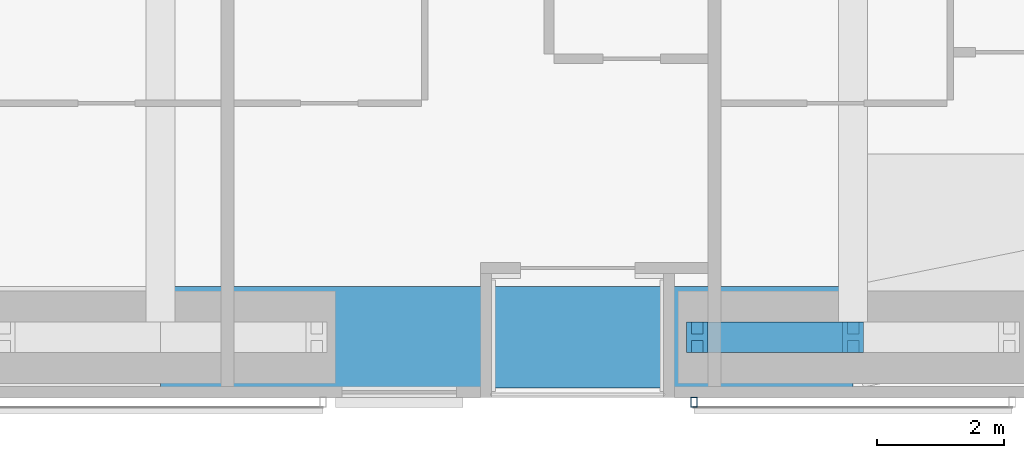
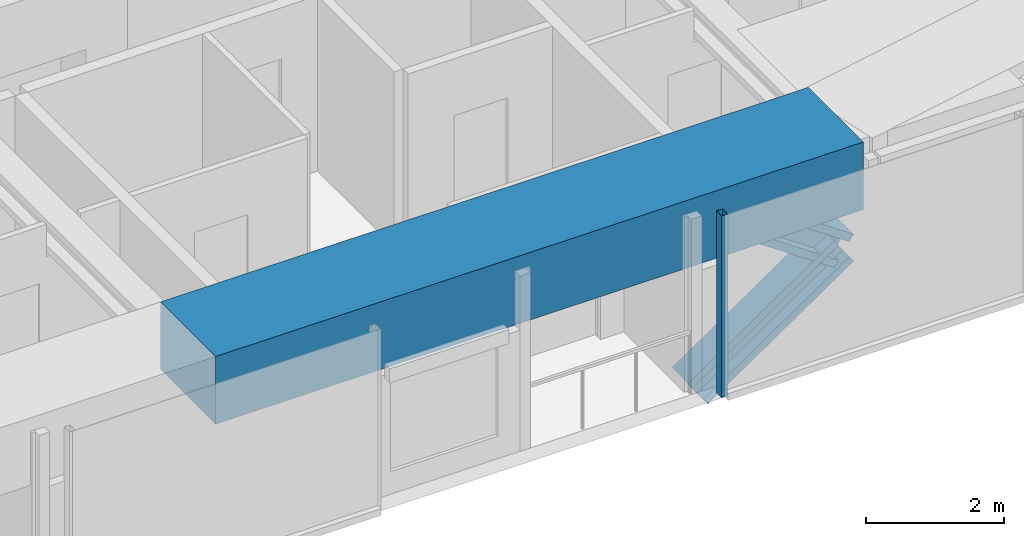
# One storey, part 6 of 25: 3 members, 1 beam, 1 element without a shape of its own.
"""IFC4 building model written with IfcOpenShell, lengths in metres."""

import ifcopenshell
import ifcopenshell.guid

model = None  # the IFC model being written
_history = None  # IfcOwnerHistory: only IFC2X3 demands one
_inside = {}  # id of a spatial element -> (the spatial element, [elements in it])
_under = {}  # id of a project, library or spatial element -> (it, [spatial elements below it])
_declared = {}  # id of a project -> (the project, [libraries it declares])
_typed = {}  # id of a type object -> (the type object, [elements of that type])
_made_of = {}  # id of a material, layer set ... -> (it, [elements and type objects made of it])


def new_model(schema):
    """Start an empty IFC model of exactly this schema.

    Asked for "IFC4X3", IfcOpenShell would pick the latest addendum, in which some entities
    have other attributes; the version numbers below select the first issue.
    IFC2X3 requires an IfcOwnerHistory on every rooted entity: one is made here for all.
    """
    global model, _history
    if schema == "IFC4X3":
        model = ifcopenshell.file(schema_version=(4, 3, 0, 0))
    else:
        model = ifcopenshell.file(schema=schema)
    _inside.clear()
    _under.clear()
    _declared.clear()
    _typed.clear()
    _made_of.clear()
    _history = None
    if model.schema == "IFC2X3":
        org = make("IfcOrganization", Name="unknown")
        user = make(
            "IfcPersonAndOrganization",
            ThePerson=make("IfcPerson", FamilyName="unknown"),
            TheOrganization=org,
        )
        app = make(
            "IfcApplication",
            ApplicationDeveloper=org,
            Version="unknown",
            ApplicationFullName="unknown",
            ApplicationIdentifier="unknown",
        )
        _history = make(
            "IfcOwnerHistory",
            OwningUser=user,
            OwningApplication=app,
            ChangeAction="ADDED",
            CreationDate=0,
        )
    return model


def make(cls, **values):
    """One entity of the class cls with the attributes given. An attribute that is None is left unset."""
    return model.create_entity(
        cls, **{name: value for name, value in values.items() if value is not None}
    )


def rooted(cls, **values):
    """An entity with a GlobalId (a new one), such as an element, a storey or a relation."""
    return make(cls, GlobalId=ifcopenshell.guid.new(), OwnerHistory=_history, **values)


def si_unit(unit_type, name, prefix=None):
    """IfcSIUnit, for example si_unit("LENGTHUNIT", "METRE", prefix="MILLI")."""
    return make("IfcSIUnit", UnitType=unit_type, Prefix=prefix, Name=name)


def assignment(units):
    """IfcUnitAssignment: the units of a project."""
    return None if units is None else make("IfcUnitAssignment", Units=units)


def point(xyz):
    """IfcCartesianPoint."""
    return None if xyz is None else make("IfcCartesianPoint", Coordinates=xyz)


def direction(xyz):
    """IfcDirection."""
    return None if xyz is None else make("IfcDirection", DirectionRatios=xyz)


def frame(location, z_axis=None, x_axis=None):
    """IfcAxis2Placement3D, a coordinate frame: its origin and axes. An axis left out is left unset."""
    return make(
        "IfcAxis2Placement3D",
        Location=point(location),
        Axis=direction(z_axis),
        RefDirection=direction(x_axis),
    )


def frame_2d(location, x_axis=None):
    """IfcAxis2Placement2D, a coordinate frame in the plane: its origin and x axis."""
    return make(
        "IfcAxis2Placement2D", Location=point(location), RefDirection=direction(x_axis)
    )


def origin():
    """The frame at (0, 0, 0) with its axes left unset."""
    return frame((0.0, 0.0, 0.0))


def origin_2d():
    """The frame at (0, 0) in the plane with its x axis left unset."""
    return frame_2d((0.0, 0.0))


def place(relative_to, where):
    """IfcLocalPlacement: puts the frame where relative to a parent placement (None: the world)."""
    return make(
        "IfcLocalPlacement", PlacementRelTo=relative_to, RelativePlacement=where
    )


def context(
    kind, dimensions, precision=None, world=None, true_north=None, identifier=None
):
    """IfcGeometricRepresentationContext, for example the 3D "Model" context."""
    return make(
        "IfcGeometricRepresentationContext",
        ContextIdentifier=identifier,
        ContextType=kind,
        CoordinateSpaceDimension=dimensions,
        Precision=precision,
        WorldCoordinateSystem=world,
        TrueNorth=true_north,
    )


def subcontext(parent, identifier, kind, view, scale=None):
    """IfcGeometricRepresentationSubContext, for example "Body" below "Model"."""
    return make(
        "IfcGeometricRepresentationSubContext",
        ContextIdentifier=identifier,
        ContextType=kind,
        ParentContext=parent,
        TargetScale=scale,
        TargetView=view,
    )


def project(units=None, contexts=None):
    """IfcProject with its units and contexts."""
    return rooted(
        "IfcProject",
        Name="project",
        RepresentationContexts=contexts,
        UnitsInContext=assignment(units),
    )


def spatial(cls, under=None, at=None, **own):
    """A site, building, storey or space (cls), placed at a placement, below another one or the project."""
    s = rooted(cls, ObjectPlacement=at, **own)
    if under is not None:
        _under.setdefault(under.id(), (under, []))[1].append(s)
    return s


def profile(cls, at=None, kind="AREA", **sizes):
    """A parametric profile (cls). Its sizes go by their IFC names, for example OverallWidth=200.0."""
    return make(cls, ProfileType=kind, Position=at, **sizes)


def rectangle(**sizes):
    """IfcRectangleProfileDef."""
    return profile("IfcRectangleProfileDef", **sizes)


def hollow_rectangle(**sizes):
    """IfcRectangleHollowProfileDef."""
    return profile("IfcRectangleHollowProfileDef", **sizes)


def i_section(**sizes):
    """IfcIShapeProfileDef."""
    return profile("IfcIShapeProfileDef", **sizes)


def extrude(swept, where, along, depth):
    """IfcExtrudedAreaSolid: the profile swept, set in the frame where, extruded along a direction by depth."""
    return make(
        "IfcExtrudedAreaSolid",
        SweptArea=swept,
        Position=where,
        ExtrudedDirection=direction(along),
        Depth=depth,
    )


def shape(context_of_items, identifier, shape_type, items):
    """IfcShapeRepresentation: the items that make up one representation, for example the "Body"."""
    return make(
        "IfcShapeRepresentation",
        ContextOfItems=context_of_items,
        RepresentationIdentifier=identifier,
        RepresentationType=shape_type,
        Items=items,
    )


def material(Name=None, Category=None):
    """IfcMaterial."""
    return make("IfcMaterial", Name=Name, Category=Category)


def material_profile(
    of_material, cross_section, Name=None, Category=None, Priority=None
):
    """IfcMaterialProfile: a cross section and its material."""
    return make(
        "IfcMaterialProfile",
        Name=Name,
        Material=of_material,
        Profile=cross_section,
        Priority=Priority,
        Category=Category,
    )


def profile_set(profiles, Name=None, composite=None):
    """IfcMaterialProfileSet."""
    return make(
        "IfcMaterialProfileSet",
        Name=Name,
        MaterialProfiles=profiles,
        CompositeProfile=composite,
    )


def made_of(thing, what):
    """Note that an element or type object is made of a material, layer set ...; save() writes the relation."""
    if what is not None:
        _made_of.setdefault(what.id(), (what, []))[1].append(thing)
    return thing


def type_object(cls, material=None, **own):
    """A type object (cls), such as IfcWallType, which elements share."""
    return made_of(rooted(cls, **own), material)


def element(
    cls,
    number,
    at=None,
    inside=None,
    cuts=None,
    type_object=None,
    material=None,
    context=None,
    identifier="Body",
    shape_type=None,
    held_by="IfcProductDefinitionShape",
    body=None,
    shapes=None,
    **own,
):
    """One element of the class cls, such as IfcWall. Its Tag is "e" and its number.

    at: its placement. inside: the storey or other place that contains it. cuts: it is an
    opening in that element (IfcRelVoidsElement). A single representation is given by context,
    identifier, shape_type and body (its items); several are given by shapes. held_by: the class
    of the entity that holds the representations. save() writes the other relations.
    """
    e = rooted(cls, Tag="e%d" % number, ObjectPlacement=at, **own)
    if body is not None:
        shapes = [shape(context, identifier, shape_type, body)]
    if shapes is not None:
        e.Representation = make(held_by, Representations=shapes)
    if inside is not None:
        _inside.setdefault(inside.id(), (inside, []))[1].append(e)
    if cuts is not None:
        rooted(
            "IfcRelVoidsElement", RelatingBuildingElement=cuts, RelatedOpeningElement=e
        )
    if type_object is not None:
        _typed.setdefault(type_object.id(), (type_object, []))[1].append(e)
    return made_of(e, material)


def aggregate(whole, parts):
    """IfcRelAggregates: a whole, such as a stair, and the parts it consists of."""
    return rooted("IfcRelAggregates", RelatingObject=whole, RelatedObjects=parts)


def save(model, path):
    """Write the relations noted so far, then the file.

    IfcRelAggregates (storeys below a building ...), IfcRelContainedInSpatialStructure (elements
    in a storey), IfcRelDefinesByType, IfcRelAssociatesMaterial and IfcRelDeclares: one each for
    every whole, place, type object, material and project.
    """
    for whole, parts in _under.values():
        aggregate(whole, parts)
    for where, things in _inside.values():
        rooted(
            "IfcRelContainedInSpatialStructure",
            RelatedElements=things,
            RelatingStructure=where,
        )
    for kind, things in _typed.values():
        rooted("IfcRelDefinesByType", RelatedObjects=things, RelatingType=kind)
    for what, things in _made_of.values():
        rooted("IfcRelAssociatesMaterial", RelatedObjects=things, RelatingMaterial=what)
    for by, libraries in _declared.values():
        rooted("IfcRelDeclares", RelatingContext=by, RelatedDefinitions=libraries)
    model.write(path)


model = new_model("IFC4")

# Units and contexts
model_context = context("Model", 3, precision=1e-05, world=origin(), true_north=direction((0.0, 1.0)))
body_context = subcontext(model_context, "Body", "Model", "MODEL_VIEW")
ifc_project = project(units=[si_unit("LENGTHUNIT", "METRE"), si_unit("AREAUNIT", "SQUARE_METRE"), si_unit("VOLUMEUNIT", "CUBIC_METRE"), si_unit("PLANEANGLEUNIT", "RADIAN"), si_unit("MASSUNIT", "GRAM", prefix="KILO")], contexts=[model_context])

# Site, building, storey
site_placement = place(None, origin())
site = spatial("IfcSite", under=ifc_project, at=site_placement, CompositionType="ELEMENT")
building_placement = place(site_placement, origin())
building = spatial("IfcBuilding", under=site, at=building_placement, Name="Jalousie Tower", CompositionType="ELEMENT")
storey_placement = place(building_placement, frame((0.0, 0.0, 94.800048828125)))
storey = spatial("IfcBuildingStorey", under=building, at=storey_placement, Name="L25", CompositionType="ELEMENT", Elevation=94.800048828125)

# Members
ifc_material_1 = material(Name="Steel ASTM A992 Grade 50", Category="steel")
ifc_material_profile_1 = material_profile(ifc_material_1, i_section(OverallWidth=0.472412109375, OverallDepth=0.5791015625, WebThickness=0.094970703125, FlangeThickness=0.1298828125, at=origin_2d()), Name="W14X808")
ifc_profile_set_1 = profile_set([ifc_material_profile_1], Name="Steel ASTM A992 Grade 50")
member_type_1 = type_object("IfcMemberType", Name="PERIMETER BRACE W14X808", PredefinedType="BRACE", material=ifc_profile_set_1)
for number, where, z_axis, x_axis, name in (
    (1, (36.175048828125, 0.949951171875, -0.60009765625), (0.825500916831, 0.0, 0.564400776321), (0.0, 1.0, 0.0), "Perimeter brace 04 L25 part 1"),
    (2, (38.625, 0.949951171875, 1.074951171875), (-0.825500916831, 0.0, 0.564400776321), (0.0, -1.0, 0.0), "Perimeter brace 04 L25 part 4"),
):
    element("IfcMember", number, at=place(storey_placement, frame(where, z_axis=z_axis, x_axis=x_axis)), inside=storey, type_object=member_type_1, Name=name, PredefinedType="BRACE", context=body_context, shape_type="SweptSolid", body=[
        extrude(i_section(OverallWidth=0.472412109375, OverallDepth=0.5791015625, WebThickness=0.094970703125, FlangeThickness=0.1298828125, at=origin_2d()), origin(), (0.0, 0.0, 1.0), 2.9677734375),
    ])

# Beam
ifc_material_2 = material(Name="Concrete f'c 40 MPa", Category="concrete")
ifc_material_profile_2 = material_profile(ifc_material_2, rectangle(XDim=1.60009765625, YDim=1.199951171875, at=origin_2d()), Name="RC 1600x1200")
ifc_profile_set_2 = profile_set([ifc_material_profile_2], Name="Concrete f'c 40 MPa")
beam_type = type_object("IfcBeamType", Name="RC BEAM 1600x1200", PredefinedType="BEAM", material=ifc_profile_set_2)
beam_placement = place(storey_placement, frame((27.75, 0.949951171875, 2.75), z_axis=(1.0, 0.0, 0.0), x_axis=(0.0, 1.0, 0.0)))
element("IfcBeam", 3, at=beam_placement, inside=storey, type_object=beam_type, Name="Edge band beam 03-04 under L26", PredefinedType="BEAM", context=body_context, shape_type="SweptSolid", body=[
    extrude(rectangle(XDim=1.60009765625, YDim=1.199951171875, at=origin_2d()), origin(), (0.0, 0.0, 1.0), 10.875),
])

# Curtain wall, member
ifc_material_3 = material(Name="Perforated aluminium sheet", Category="aluminium")
curtain_wall_type = type_object("IfcCurtainWallType", Name="SOLAR SCREEN SS-1", PredefinedType="USERDEFINED", material=ifc_material_3)
curtain_wall_placement = place(storey_placement, origin())
curtain_wall = element("IfcCurtainWall", 4, at=curtain_wall_placement, inside=storey, type_object=curtain_wall_type, Name="Solar screen L25", ObjectType="SOLAR SCREEN SS-1", PredefinedType="USERDEFINED")
ifc_material_4 = material(Name="Steel ASTM A500 Grade C", Category="steel")
ifc_material_profile_3 = material_profile(ifc_material_4, hollow_rectangle(XDim=0.1015625, YDim=0.15234375, WallThickness=0.00634765625, at=origin_2d()), Name="HSS6X4X1/4")
ifc_profile_set_3 = profile_set([ifc_material_profile_3], Name="Steel ASTM A500 Grade C")
member_type_2 = type_object("IfcMemberType", Name="SOLAR SCREEN SS-1 MULLION", PredefinedType="MULLION", material=ifc_profile_set_3)
member_placement = place(storey_placement, frame((36.125, -0.0712890625, -0.1201171875), z_axis=(0.0, 0.0, 1.0), x_axis=(1.0, 0.0, 0.0)))
member = element("IfcMember", 5, at=member_placement, type_object=member_type_2, Name="SS1 post 1", PredefinedType="MULLION", context=body_context, shape_type="SweptSolid", body=[
    extrude(hollow_rectangle(XDim=0.1015625, YDim=0.15234375, WallThickness=0.00634765625, at=origin_2d()), origin(), (0.0, 0.0, 1.0), 3.22998046875),
])
aggregate(curtain_wall, [member])

save(model, "model.ifc")
